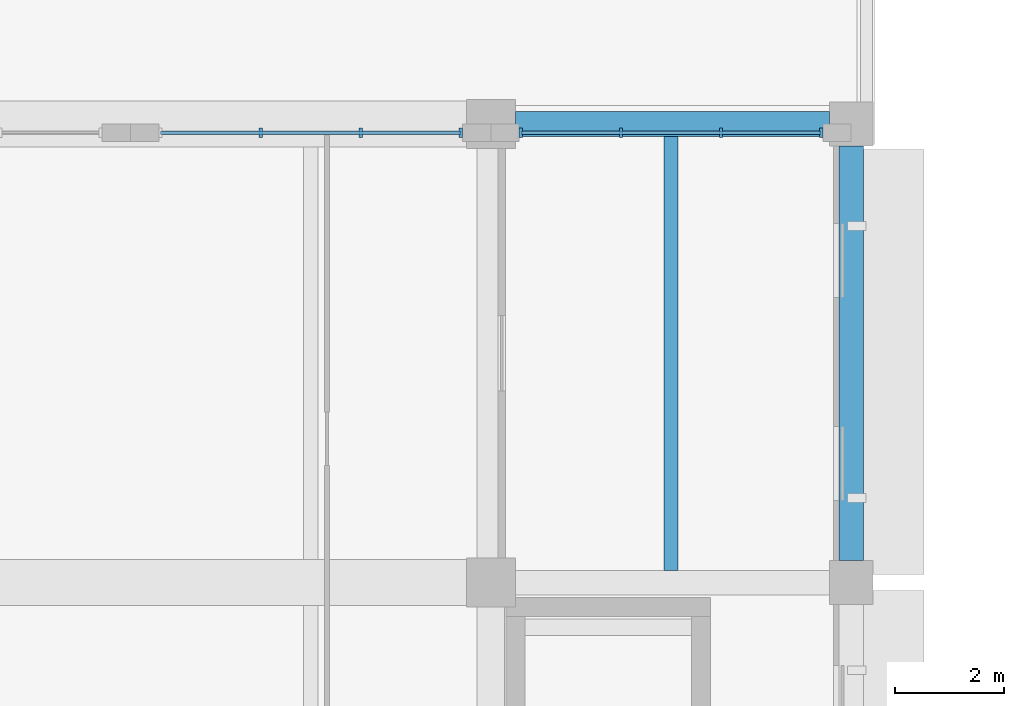
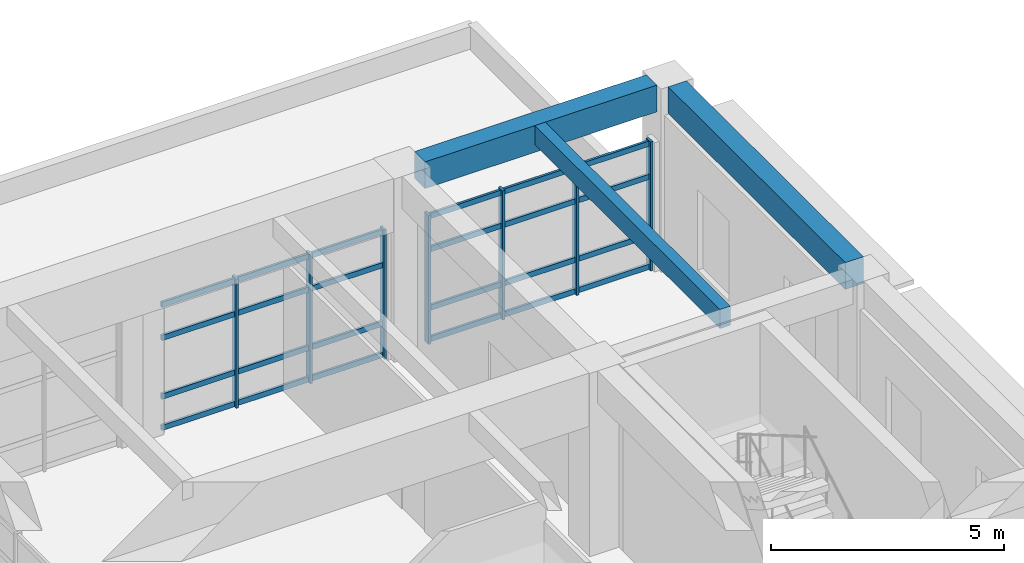
# One storey, part 30 of 75: 15 members, 3 beams, 2 elements without a shape of their own.
"""IFC4 building model written with IfcOpenShell, lengths in metres."""

from ifc_helpers import new_model, si_unit, direction, frame, origin, origin_2d, place, context, subcontext, project, spatial, rectangle, extrude, material, layer, layer_set, material_profile, profile_set, type_object, element, aggregate, save


model = new_model("IFC4")

# Units and contexts
model_context = context("Model", 3, precision=1e-05, world=origin(), true_north=direction((0.0, 1.0)))
body_context = subcontext(model_context, "Body", "Model", "MODEL_VIEW")
ifc_project = project(units=[si_unit("LENGTHUNIT", "METRE"), si_unit("AREAUNIT", "SQUARE_METRE"), si_unit("VOLUMEUNIT", "CUBIC_METRE"), si_unit("PLANEANGLEUNIT", "RADIAN"), si_unit("MASSUNIT", "GRAM", prefix="KILO")], contexts=[model_context])

# Site, building, storey
site_placement = place(None, origin())
site = spatial("IfcSite", under=ifc_project, at=site_placement, CompositionType="ELEMENT")
building_placement = place(site_placement, origin())
building = spatial("IfcBuilding", under=site, at=building_placement, Name="Kolvaren Faculty of Natural Sciences", CompositionType="ELEMENT")
storey_placement = place(building_placement, frame((0.0, 0.0, 5.39990234375)))
storey = spatial("IfcBuildingStorey", under=building, at=storey_placement, Name="L01", CompositionType="ELEMENT", Elevation=5.39990234375)

# Curtain wall, members
ifc_material_1 = material(Name="Thermally broken anodised aluminium framing", Category="aluminium")
ifc_layer = layer(ifc_material_1, 0.179931640625)
ifc_layer_set = layer_set([ifc_layer], Name="Thermally broken anodised aluminium framing")
curtain_wall_type = type_object("IfcCurtainWallType", Name="CommonsCurtainWall_CW02", PredefinedType="NOTDEFINED", material=ifc_layer_set)
curtain_wall_1_placement = place(storey_placement, origin())
curtain_wall_1 = element("IfcCurtainWall", 1, at=curtain_wall_1_placement, inside=storey, type_object=curtain_wall_type, Name="L01 unitised curtain wall CW-02 (CW-L01-038)", PredefinedType="NOTDEFINED")
ifc_material_profile_1 = material_profile(ifc_material_1, rectangle(XDim=0.06005859375, YDim=0.179931640625, at=origin_2d()), Name="ALU MUL 60x180")
ifc_profile_set_1 = profile_set([ifc_material_profile_1], Name="Thermally broken anodised aluminium framing")
member_type_1 = type_object("IfcMemberType", Name="CurtainMullion_60x180", PredefinedType="MULLION", material=ifc_profile_set_1)
member_1_placement = place(storey_placement, frame((127.9833984375, 109.239990234375, 0.0), z_axis=(0.0, 0.0, 1.0), x_axis=(1.0, 0.0, 0.0)))
member_1 = element("IfcMember", 2, at=member_1_placement, type_object=member_type_1, Name="CW-L01-038 vertical mullion 2", PredefinedType="MULLION", context=body_context, shape_type="SweptSolid", body=[
    extrude(rectangle(XDim=0.06005859375, YDim=0.179931640625, at=origin_2d()), origin(), (0.0, 0.0, 1.0), 3.385009765625),
])
member_2_placement = place(storey_placement, frame((129.816650390625, 109.239990234375, 0.0), z_axis=(0.0, 0.0, 1.0), x_axis=(1.0, 0.0, 0.0)))
member_2 = element("IfcMember", 3, at=member_2_placement, type_object=member_type_1, Name="CW-L01-038 vertical mullion 3", PredefinedType="MULLION", context=body_context, shape_type="SweptSolid", body=[
    extrude(rectangle(XDim=0.06005859375, YDim=0.179931640625, at=origin_2d()), origin(), (0.0, 0.0, 1.0), 3.385009765625),
])
member_3_placement = place(storey_placement, frame((131.64990234375, 109.239990234375, 0.0), z_axis=(0.0, 0.0, 1.0), x_axis=(1.0, 0.0, 0.0)))
member_3 = element("IfcMember", 4, at=member_3_placement, type_object=member_type_1, Name="CW-L01-038 vertical mullion 4", PredefinedType="MULLION", context=body_context, shape_type="SweptSolid", body=[
    extrude(rectangle(XDim=0.06005859375, YDim=0.179931640625, at=origin_2d()), origin(), (0.0, 0.0, 1.0), 3.385009765625),
])

curtain_wall_2_placement = place(storey_placement, origin())
curtain_wall_2 = element("IfcCurtainWall", 5, at=curtain_wall_2_placement, inside=storey, type_object=curtain_wall_type, Name="L01 unitised curtain wall CW-02 (CW-L01-039)", PredefinedType="NOTDEFINED")
member_4_placement = place(storey_placement, frame((132.75, 109.239990234375, 0.0), z_axis=(0.0, 0.0, 1.0), x_axis=(1.0, 0.0, 0.0)))
member_4 = element("IfcMember", 6, at=member_4_placement, type_object=member_type_1, Name="CW-L01-039 vertical mullion 1", PredefinedType="MULLION", context=body_context, shape_type="SweptSolid", body=[
    extrude(rectangle(XDim=0.06005859375, YDim=0.179931640625, at=origin_2d()), origin(), (0.0, 0.0, 1.0), 3.385009765625),
])
member_5_placement = place(storey_placement, frame((134.583251953125, 109.239990234375, 0.0), z_axis=(0.0, 0.0, 1.0), x_axis=(1.0, 0.0, 0.0)))
member_5 = element("IfcMember", 7, at=member_5_placement, type_object=member_type_1, Name="CW-L01-039 vertical mullion 2", PredefinedType="MULLION", context=body_context, shape_type="SweptSolid", body=[
    extrude(rectangle(XDim=0.06005859375, YDim=0.179931640625, at=origin_2d()), origin(), (0.0, 0.0, 1.0), 3.385009765625),
])
member_6_placement = place(storey_placement, frame((136.416748046875, 109.239990234375, 0.0), z_axis=(0.0, 0.0, 1.0), x_axis=(1.0, 0.0, 0.0)))
member_6 = element("IfcMember", 8, at=member_6_placement, type_object=member_type_1, Name="CW-L01-039 vertical mullion 3", PredefinedType="MULLION", context=body_context, shape_type="SweptSolid", body=[
    extrude(rectangle(XDim=0.06005859375, YDim=0.179931640625, at=origin_2d()), origin(), (0.0, 0.0, 1.0), 3.385009765625),
])
member_7_placement = place(storey_placement, frame((138.25, 109.239990234375, 0.0), z_axis=(0.0, 0.0, 1.0), x_axis=(1.0, 0.0, 0.0)))
member_7 = element("IfcMember", 9, at=member_7_placement, type_object=member_type_1, Name="CW-L01-039 vertical mullion 4", PredefinedType="MULLION", context=body_context, shape_type="SweptSolid", body=[
    extrude(rectangle(XDim=0.06005859375, YDim=0.179931640625, at=origin_2d()), origin(), (0.0, 0.0, 1.0), 3.385009765625),
])

# Member
ifc_material_profile_2 = material_profile(ifc_material_1, rectangle(XDim=0.06005859375, YDim=0.139892578125, at=origin_2d()), Name="ALU TRN 60x140")
ifc_profile_set_2 = profile_set([ifc_material_profile_2], Name="Thermally broken anodised aluminium framing")
member_type_2 = type_object("IfcMemberType", Name="CurtainTransom_60x140", PredefinedType="USERDEFINED", material=ifc_profile_set_2)
member_8_placement = place(storey_placement, frame((126.14990234375, 109.239990234375, 0.080078125), z_axis=(1.0, 0.0, 0.0), x_axis=(0.0, 1.0, 0.0)))
member_8 = element("IfcMember", 10, at=member_8_placement, type_object=member_type_2, Name="CW-L01-038 horizontal transom 1", ObjectType="TRANSOM", PredefinedType="USERDEFINED", context=body_context, shape_type="SweptSolid", body=[
    extrude(rectangle(XDim=0.06005859375, YDim=0.139892578125, at=origin_2d()), origin(), (0.0, 0.0, 1.0), 5.5),
])

member_9_placement = place(storey_placement, frame((126.14990234375, 109.239990234375, 0.900146484375), z_axis=(1.0, 0.0, 0.0), x_axis=(0.0, 1.0, 0.0)))
member_9 = element("IfcMember", 11, at=member_9_placement, type_object=member_type_2, Name="CW-L01-038 horizontal transom 2", ObjectType="TRANSOM", PredefinedType="USERDEFINED", context=body_context, shape_type="SweptSolid", body=[
    extrude(rectangle(XDim=0.06005859375, YDim=0.139892578125, at=origin_2d()), origin(), (0.0, 0.0, 1.0), 5.5),
])

member_10_placement = place(storey_placement, frame((126.14990234375, 109.239990234375, 2.43505859375), z_axis=(1.0, 0.0, 0.0), x_axis=(0.0, 1.0, 0.0)))
member_10 = element("IfcMember", 12, at=member_10_placement, type_object=member_type_2, Name="CW-L01-038 horizontal transom 3", ObjectType="TRANSOM", PredefinedType="USERDEFINED", context=body_context, shape_type="SweptSolid", body=[
    extrude(rectangle(XDim=0.06005859375, YDim=0.139892578125, at=origin_2d()), origin(), (0.0, 0.0, 1.0), 5.5),
])

member_11_placement = place(storey_placement, frame((126.14990234375, 109.239990234375, 3.30517578125), z_axis=(1.0, 0.0, 0.0), x_axis=(0.0, 1.0, 0.0)))
member_11 = element("IfcMember", 13, at=member_11_placement, type_object=member_type_2, Name="CW-L01-038 horizontal transom 4", ObjectType="TRANSOM", PredefinedType="USERDEFINED", context=body_context, shape_type="SweptSolid", body=[
    extrude(rectangle(XDim=0.06005859375, YDim=0.139892578125, at=origin_2d()), origin(), (0.0, 0.0, 1.0), 5.5),
])

aggregate(curtain_wall_1, [member_1, member_2, member_3, member_8, member_9, member_10, member_11])

member_12_placement = place(storey_placement, frame((132.75, 109.239990234375, 0.080078125), z_axis=(1.0, 0.0, 0.0), x_axis=(0.0, 1.0, 0.0)))
member_12 = element("IfcMember", 14, at=member_12_placement, type_object=member_type_2, Name="CW-L01-039 horizontal transom 1", ObjectType="TRANSOM", PredefinedType="USERDEFINED", context=body_context, shape_type="SweptSolid", body=[
    extrude(rectangle(XDim=0.06005859375, YDim=0.139892578125, at=origin_2d()), origin(), (0.0, 0.0, 1.0), 5.5),
])

member_13_placement = place(storey_placement, frame((132.75, 109.239990234375, 0.900146484375), z_axis=(1.0, 0.0, 0.0), x_axis=(0.0, 1.0, 0.0)))
member_13 = element("IfcMember", 15, at=member_13_placement, type_object=member_type_2, Name="CW-L01-039 horizontal transom 2", ObjectType="TRANSOM", PredefinedType="USERDEFINED", context=body_context, shape_type="SweptSolid", body=[
    extrude(rectangle(XDim=0.06005859375, YDim=0.139892578125, at=origin_2d()), origin(), (0.0, 0.0, 1.0), 5.5),
])

member_14_placement = place(storey_placement, frame((132.75, 109.239990234375, 2.43505859375), z_axis=(1.0, 0.0, 0.0), x_axis=(0.0, 1.0, 0.0)))
member_14 = element("IfcMember", 16, at=member_14_placement, type_object=member_type_2, Name="CW-L01-039 horizontal transom 3", ObjectType="TRANSOM", PredefinedType="USERDEFINED", context=body_context, shape_type="SweptSolid", body=[
    extrude(rectangle(XDim=0.06005859375, YDim=0.139892578125, at=origin_2d()), origin(), (0.0, 0.0, 1.0), 5.5),
])

member_15_placement = place(storey_placement, frame((132.75, 109.239990234375, 3.30517578125), z_axis=(1.0, 0.0, 0.0), x_axis=(0.0, 1.0, 0.0)))
member_15 = element("IfcMember", 17, at=member_15_placement, type_object=member_type_2, Name="CW-L01-039 horizontal transom 4", ObjectType="TRANSOM", PredefinedType="USERDEFINED", context=body_context, shape_type="SweptSolid", body=[
    extrude(rectangle(XDim=0.06005859375, YDim=0.139892578125, at=origin_2d()), origin(), (0.0, 0.0, 1.0), 5.5),
])

aggregate(curtain_wall_2, [member_4, member_5, member_6, member_7, member_12, member_13, member_14, member_15])

# Beams
ifc_material_2 = material(Name="Concrete C35/45", Category="concrete")
ifc_material_profile_3 = material_profile(ifc_material_2, rectangle(XDim=0.260009765625, YDim=0.5, at=origin_2d()), Name="RC JST 260x500")
ifc_profile_set_3 = profile_set([ifc_material_profile_3], Name="Concrete C35/45")
beam_type_1 = type_object("IfcBeamType", Name="LabRibJoist_260x500", PredefinedType="JOIST", material=ifc_profile_set_3)
beam_1_placement = place(storey_placement, frame((135.5, 101.22509765625, 4.550048828125), z_axis=(0.0, 1.0, 0.0), x_axis=(-1.0, 0.0, 0.0)))
element("IfcBeam", 18, at=beam_1_placement, inside=storey, type_object=beam_type_1, Name="L01 ribbed laboratory slab joist JS-50", PredefinedType="JOIST", context=body_context, shape_type="SweptSolid", body=[
    extrude(rectangle(XDim=0.260009765625, YDim=0.5, at=origin_2d()), origin(), (0.0, 0.0, 1.0), 7.949951171875),
])
ifc_material_profile_4 = material_profile(ifc_material_2, rectangle(XDim=0.449951171875, YDim=0.699951171875, at=origin_2d()), Name="RC SP 450x700")
ifc_profile_set_4 = profile_set([ifc_material_profile_4], Name="Concrete C35/45")
beam_type_2 = type_object("IfcBeamType", Name="PerimeterSpandrel_450x700", PredefinedType="SPANDREL", material=ifc_profile_set_4)
beam_2_placement = place(storey_placement, frame((132.64990234375, 109.39990234375, 4.4501953125), z_axis=(1.0, 0.0, 0.0), x_axis=(0.0, 1.0, 0.0)))
element("IfcBeam", 19, at=beam_2_placement, inside=storey, type_object=beam_type_2, Name="L01 spandrel SP-70 on grid P", PredefinedType="SPANDREL", context=body_context, shape_type="SweptSolid", body=[
    extrude(rectangle(XDim=0.449951171875, YDim=0.699951171875, at=origin_2d()), origin(), (0.0, 0.0, 1.0), 5.75),
])
beam_3_placement = place(storey_placement, frame((138.800048828125, 101.39990234375, 4.4501953125), z_axis=(0.0, 1.0, 0.0), x_axis=(-1.0, 0.0, 0.0)))
element("IfcBeam", 20, at=beam_3_placement, inside=storey, type_object=beam_type_2, Name="L01 girder SP-70 on grid 22", PredefinedType="SPANDREL", context=body_context, shape_type="SweptSolid", body=[
    extrude(rectangle(XDim=0.449951171875, YDim=0.699951171875, at=origin_2d()), origin(), (0.0, 0.0, 1.0), 7.60009765625),
])

save(model, "model.ifc")
